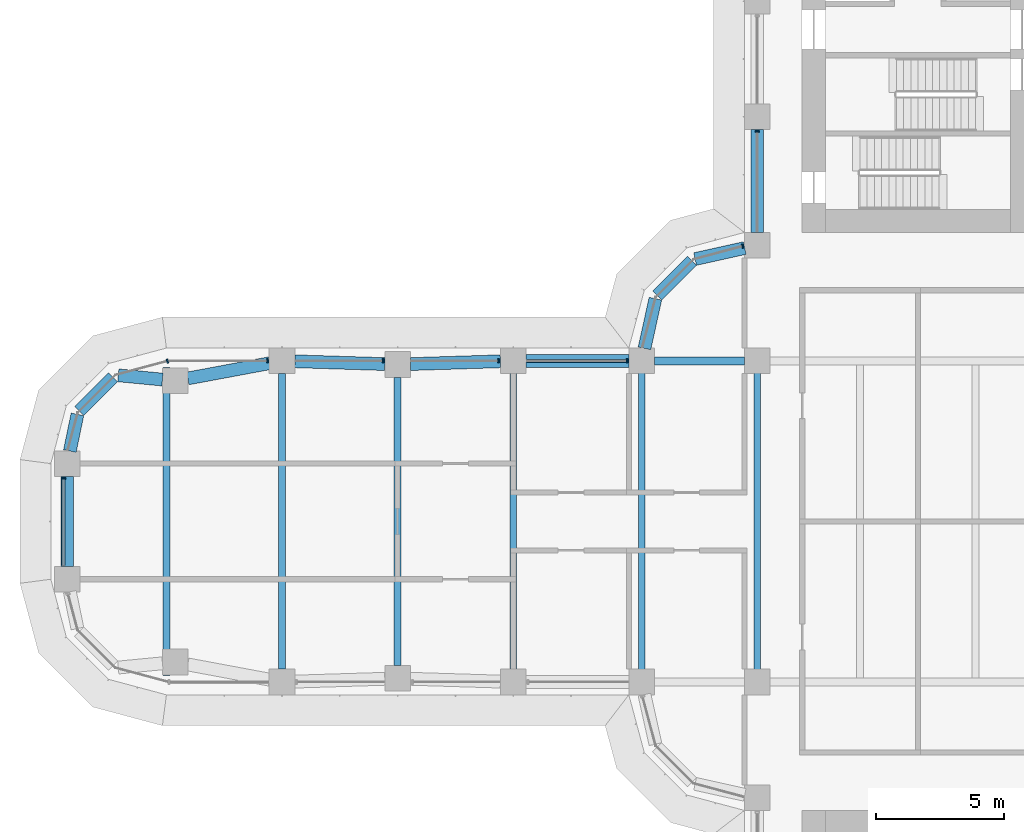
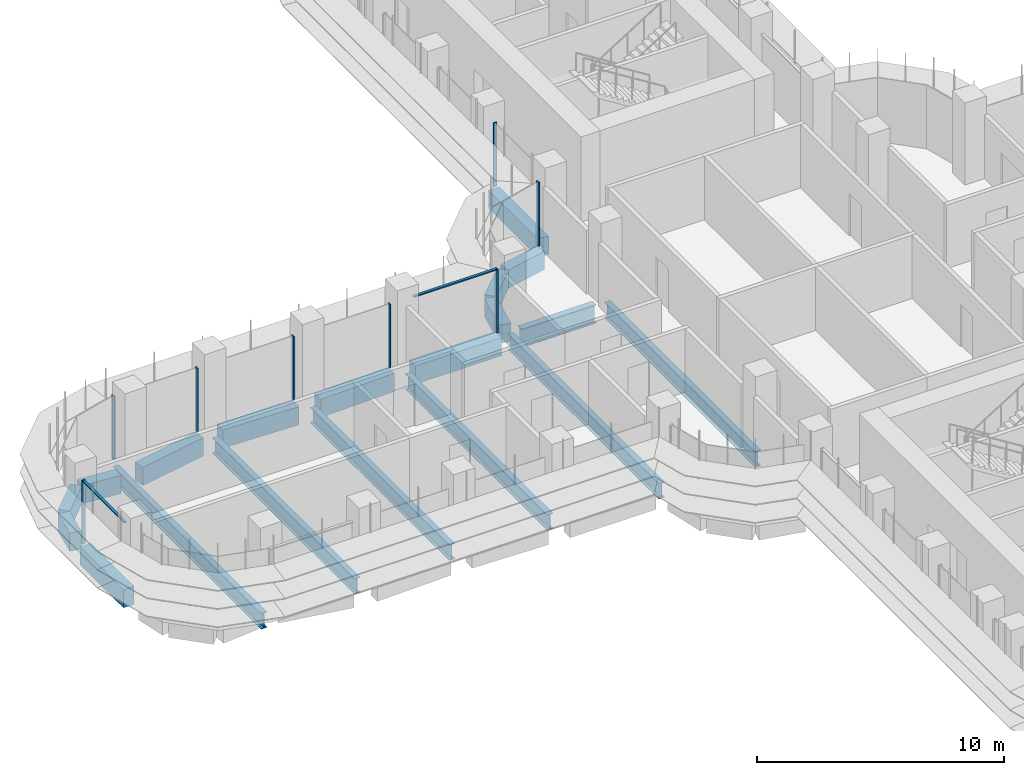
# One storey, part 6 of 23: 19 beams, 10 members, 5 elements without a shape of their own.
"""IFC4 building model written with IfcOpenShell, lengths in metres."""

from ifc_helpers import new_model, si_unit, direction, frame, origin, origin_2d, place, context, subcontext, project, spatial, polyline, rectangle, i_section, outline, extrude, source, transform, mapped, material, material_profile, profile_set, type_object, element, aggregate, save


model = new_model("IFC4")

# Units and contexts
model_context = context("Model", 3, precision=1e-05, world=origin(), true_north=direction((0.0, 1.0)))
body_context = subcontext(model_context, "Body", "Model", "MODEL_VIEW")
ifc_project = project(units=[si_unit("LENGTHUNIT", "METRE"), si_unit("AREAUNIT", "SQUARE_METRE"), si_unit("VOLUMEUNIT", "CUBIC_METRE"), si_unit("PLANEANGLEUNIT", "RADIAN"), si_unit("MASSUNIT", "GRAM", prefix="KILO")], contexts=[model_context])

# Site, building, storey
site_placement = place(None, origin())
site = spatial("IfcSite", under=ifc_project, at=site_placement, CompositionType="ELEMENT")
building_placement = place(site_placement, origin())
building = spatial("IfcBuilding", under=site, at=building_placement, Name="Zarbagh Exchange Tower", CompositionType="ELEMENT")
storey_placement = place(building_placement, frame((0.0, 0.0, 56.39990234375)))
storey = spatial("IfcBuildingStorey", under=building, at=storey_placement, Name="L12", CompositionType="ELEMENT", Elevation=56.39990234375)

# Beams
ifc_material_1 = material(Name="Steel ASTM A992 Gr 50", Category="steel")
ifc_material_profile_1 = material_profile(ifc_material_1, i_section(OverallWidth=0.2666015625, OverallDepth=0.76708984375, WebThickness=0.014892578125, FlangeThickness=0.023681640625, at=origin_2d()), Name="W30X124")
ifc_profile_set_1 = profile_set([ifc_material_profile_1], Name="Steel ASTM A992 Gr 50")
beam_type_1 = type_object("IfcBeamType", Name="Floor beam W30X124", PredefinedType="BEAM", material=ifc_profile_set_1)
for number, where, z_axis, x_axis, name in (
    (1, (-10.75, -6.09765625, -0.533447265625), (0.0, 1.0, 0.0), (-1.0, 0.0, 0.0), "Steel floor beam"),
    (2, (-6.25, -6.09765625, -0.533447265625), (0.0, 1.0, 0.0), (-1.0, 0.0, 0.0), "Steel floor beam"),
):
    element("IfcBeam", number, at=place(storey_placement, frame(where, z_axis=z_axis, x_axis=x_axis)), inside=storey, type_object=beam_type_1, Name=name, PredefinedType="BEAM", context=body_context, shape_type="SweptSolid", body=[
        extrude(i_section(OverallWidth=0.2666015625, OverallDepth=0.76708984375, WebThickness=0.014892578125, FlangeThickness=0.023681640625, at=origin_2d()), origin(), (0.0, 0.0, 1.0), 12.1953125),
    ])
beam_1_placement = place(storey_placement, frame((-15.75, -5.75, -0.533447265625), z_axis=(0.0, 1.0, 0.0), x_axis=(-1.0, 0.0, 0.0)))
element("IfcBeam", 3, at=beam_1_placement, inside=storey, type_object=beam_type_1, Name="Steel floor beam", PredefinedType="BEAM", context=body_context, shape_type="SweptSolid", body=[
    extrude(i_section(OverallWidth=0.2666015625, OverallDepth=0.76708984375, WebThickness=0.014892578125, FlangeThickness=0.023681640625, at=origin_2d()), origin(), (0.0, 0.0, 1.0), 11.5),
])
beam_2_placement = place(storey_placement, frame((-20.25, -5.610107421875, -0.533447265625), z_axis=(0.0, 1.0, 0.0), x_axis=(-1.0, 0.0, 0.0)))
element("IfcBeam", 4, at=beam_2_placement, inside=storey, type_object=beam_type_1, Name="Steel floor beam", PredefinedType="BEAM", context=body_context, shape_type="SweptSolid", body=[
    extrude(i_section(OverallWidth=0.2666015625, OverallDepth=0.76708984375, WebThickness=0.014892578125, FlangeThickness=0.023681640625, at=origin_2d()), origin(), (0.0, 0.0, 1.0), 11.22021484375),
])
beam_3_placement = place(storey_placement, frame((-24.75, -5.75, -0.533447265625), z_axis=(0.0, 1.0, 0.0), x_axis=(-1.0, 0.0, 0.0)))
element("IfcBeam", 5, at=beam_3_placement, inside=storey, type_object=beam_type_1, Name="Steel floor beam", PredefinedType="BEAM", context=body_context, shape_type="SweptSolid", body=[
    extrude(i_section(OverallWidth=0.2666015625, OverallDepth=0.76708984375, WebThickness=0.014892578125, FlangeThickness=0.023681640625, at=origin_2d()), origin(), (0.0, 0.0, 1.0), 11.5),
])
beam_4_placement = place(storey_placement, frame((-29.25, -6.0, -0.533447265625), z_axis=(0.0, 1.0, 0.0), x_axis=(-1.0, 0.0, 0.0)))
element("IfcBeam", 6, at=beam_4_placement, inside=storey, type_object=beam_type_1, Name="Steel floor beam", PredefinedType="BEAM", context=body_context, shape_type="SweptSolid", body=[
    extrude(i_section(OverallWidth=0.2666015625, OverallDepth=0.76708984375, WebThickness=0.014892578125, FlangeThickness=0.023681640625, at=origin_2d()), origin(), (0.0, 0.0, 1.0), 12.0),
])
ifc_material_profile_2 = material_profile(ifc_material_1, i_section(OverallWidth=0.3046875, OverallDepth=0.91943359375, WebThickness=0.017333984375, FlangeThickness=0.02783203125, at=origin_2d()), Name="W36X170")
ifc_profile_set_2 = profile_set([ifc_material_profile_2], Name="Steel ASTM A992 Gr 50")
beam_type_2 = type_object("IfcBeamType", Name="Floor girder W36X170", PredefinedType="BEAM", material=ifc_profile_set_2)
beam_5_placement = place(storey_placement, frame((-10.25, 6.25, -0.609619140625), z_axis=(1.0, 0.0, 0.0), x_axis=(0.0, 1.0, 0.0)))
element("IfcBeam", 7, at=beam_5_placement, inside=storey, type_object=beam_type_2, Name="Steel girder", PredefinedType="BEAM", context=body_context, shape_type="SweptSolid", body=[
    extrude(i_section(OverallWidth=0.3046875, OverallDepth=0.91943359375, WebThickness=0.017333984375, FlangeThickness=0.02783203125, at=origin_2d()), origin(), (0.0, 0.0, 1.0), 3.5),
])
ifc_material_2 = material(Name="Concrete C60/75", Category="concrete")
ifc_material_profile_3 = material_profile(ifc_material_2, rectangle(XDim=0.5, YDim=0.89990234375, at=origin_2d()), Name="RC spandrel beam 500 x 900 C60/75")
ifc_profile_set_3 = profile_set([ifc_material_profile_3], Name="Concrete C60/75")
beam_type_3 = type_object("IfcBeamType", Name="RC spandrel beam 500 x 900 C60/75", PredefinedType="SPANDREL", material=ifc_profile_set_3)
beam_6_placement = place(storey_placement, frame((-33.110107421875, -1.75, -0.599853515625), z_axis=(0.0, 1.0, 0.0), x_axis=(-1.0, 0.0, 0.0)))
element("IfcBeam", 8, at=beam_6_placement, inside=storey, type_object=beam_type_3, Name="RC spandrel beam", PredefinedType="SPANDREL", context=body_context, shape_type="SweptSolid", body=[
    extrude(rectangle(XDim=0.5, YDim=0.89990234375, at=origin_2d()), origin(), (0.0, 0.0, 1.0), 3.5),
])
beam_7_placement = place(storey_placement, frame((-33.0087890625, 2.73974609375, -0.599853515625), z_axis=(0.202068589164, 0.9793713725, 0.0), x_axis=(-0.9793713725, 0.202068589164, 0.0)))
element("IfcBeam", 9, at=beam_7_placement, inside=storey, type_object=beam_type_3, Name="RC spandrel beam", PredefinedType="SPANDREL", context=body_context, shape_type="SweptSolid", body=[
    extrude(rectangle(XDim=0.5, YDim=0.89990234375, at=origin_2d()), origin(), (0.0, 0.0, 1.0), 1.458251953125),
])
beam_8_placement = place(storey_placement, frame((-32.64599609375, 4.294189453125, -0.599853515625), z_axis=(0.707172099812, 0.707041456527, 0.0), x_axis=(-0.707041456527, 0.707172099812, 0.0)))
element("IfcBeam", 10, at=beam_8_placement, inside=storey, type_object=beam_type_3, Name="RC spandrel beam", PredefinedType="SPANDREL", context=body_context, shape_type="SweptSolid", body=[
    extrude(rectangle(XDim=0.5, YDim=0.89990234375, at=origin_2d()), origin(), (0.0, 0.0, 1.0), 1.86865234375),
])
beam_9_placement = place(storey_placement, frame((-31.123779296875, 5.6875, -0.599853515625), z_axis=(0.995431032456, -0.095483294999, 0.0), x_axis=(0.095483294999, 0.995431032456, 0.0)))
element("IfcBeam", 11, at=beam_9_placement, inside=storey, type_object=beam_type_3, Name="RC spandrel beam", PredefinedType="SPANDREL", context=body_context, shape_type="SweptSolid", body=[
    extrude(rectangle(XDim=0.5, YDim=0.89990234375, at=origin_2d()), origin(), (0.0, 0.0, 1.0), 1.725830078125),
])
beam_10_placement = place(storey_placement, frame((-28.41650390625, 5.566650390625, -0.599853515625), z_axis=(0.983069300761, 0.183234139565, 0.0), x_axis=(-0.183234139565, 0.983069300761, 0.0)))
element("IfcBeam", 12, at=beam_10_placement, inside=storey, type_object=beam_type_3, Name="RC spandrel beam", PredefinedType="SPANDREL", context=body_context, shape_type="SweptSolid", body=[
    extrude(rectangle(XDim=0.5, YDim=0.89990234375, at=origin_2d()), origin(), (0.0, 0.0, 1.0), 3.229736328125),
])
for number, where, z_axis, x_axis, name in (
    (13, (-24.250244140625, 6.234619140625, -0.599853515625), (0.999514385708, -0.031160756759, 0.0), (0.031160756759, 0.999514385708, 0.0), "RC spandrel beam"),
    (14, (-19.750244140625, 6.12548828125, -0.599853515625), (0.999514385708, 0.031160756759, 0.0), (-0.031160756759, 0.999514385708, 0.0), "RC spandrel beam"),
):
    element("IfcBeam", number, at=place(storey_placement, frame(where, z_axis=z_axis, x_axis=x_axis)), inside=storey, type_object=beam_type_3, Name=name, PredefinedType="SPANDREL", context=body_context, shape_type="SweptSolid", body=[
        extrude(rectangle(XDim=0.5, YDim=0.89990234375, at=origin_2d()), origin(), (0.0, 0.0, 1.0), 3.502197265625),
    ])
beam_11_placement = place(storey_placement, frame((-15.25, 6.25, -0.599853515625), z_axis=(1.0, 0.0, 0.0), x_axis=(0.0, 1.0, 0.0)))
element("IfcBeam", 15, at=beam_11_placement, inside=storey, type_object=beam_type_3, Name="RC spandrel beam", PredefinedType="SPANDREL", context=body_context, shape_type="SweptSolid", body=[
    extrude(rectangle(XDim=0.5, YDim=0.89990234375, at=origin_2d()), origin(), (0.0, 0.0, 1.0), 4.0),
])
beam_12_placement = place(storey_placement, frame((-10.64208984375, 6.73828125, -0.599853515625), z_axis=(0.216081063242, 0.976375426825, 0.0), x_axis=(-0.976375426825, 0.216081063242, 0.0)))
element("IfcBeam", 16, at=beam_12_placement, inside=storey, type_object=beam_type_3, Name="RC spandrel beam", PredefinedType="SPANDREL", context=body_context, shape_type="SweptSolid", body=[
    extrude(rectangle(XDim=0.5, YDim=0.89990234375, at=origin_2d()), origin(), (0.0, 0.0, 1.0), 1.978271484375),
])
beam_13_placement = place(storey_placement, frame((-10.147216796875, 8.792724609375, -0.599853515625), z_axis=(0.707106781187, 0.707106781187, 0.0), x_axis=(-0.707106781187, 0.707106781187, 0.0)))
element("IfcBeam", 17, at=beam_13_placement, inside=storey, type_object=beam_type_3, Name="RC spandrel beam", PredefinedType="SPANDREL", context=body_context, shape_type="SweptSolid", body=[
    extrude(rectangle(XDim=0.5, YDim=0.89990234375, at=origin_2d()), origin(), (0.0, 0.0, 1.0), 1.91552734375),
])
beam_14_placement = place(storey_placement, frame((-8.669921875, 10.214599609375, -0.599853515625), z_axis=(0.976375426825, 0.216081063242, 0.0), x_axis=(-0.216081063242, 0.976375426825, 0.0)))
element("IfcBeam", 18, at=beam_14_placement, inside=storey, type_object=beam_type_3, Name="RC spandrel beam", PredefinedType="SPANDREL", context=body_context, shape_type="SweptSolid", body=[
    extrude(rectangle(XDim=0.5, YDim=0.89990234375, at=origin_2d()), origin(), (0.0, 0.0, 1.0), 1.978271484375),
])
beam_15_placement = place(storey_placement, frame((-6.25, 11.25, -0.599853515625), z_axis=(0.0, 1.0, 0.0), x_axis=(-1.0, 0.0, 0.0)))
element("IfcBeam", 19, at=beam_15_placement, inside=storey, type_object=beam_type_3, Name="RC spandrel beam", PredefinedType="SPANDREL", context=body_context, shape_type="SweptSolid", body=[
    extrude(rectangle(XDim=0.5, YDim=0.89990234375, at=origin_2d()), origin(), (0.0, 0.0, 1.0), 4.0),
])

# Curtain wall, member
ifc_material_3 = material(Name="Anodised aluminium frame and glazing", Category="aluminium")
curtain_wall_type = type_object("IfcCurtainWallType", Name="CWA Ribbon glazing, lower zones", PredefinedType="NOTDEFINED", material=ifc_material_3)
curtain_wall_1_placement = place(storey_placement, origin())
curtain_wall_1 = element("IfcCurtainWall", 20, at=curtain_wall_1_placement, inside=storey, type_object=curtain_wall_type, Name="CWA28 curtain wall", PredefinedType="NOTDEFINED")
ifc_material_4 = material(Name="Anodised aluminium frame", Category="aluminium")
member_type_1 = type_object("IfcMemberType", Name="MUA Mullion, anodised aluminium frame", PredefinedType="MULLION", material=ifc_material_4)
shared_shape_1 = source(origin(), body_context, "Body", "SweptSolid", [
    extrude(outline(polyline([(0.0, -0.080078125), (0.06005859375, -0.080078125), (0.06005859375, 0.080078125), (0.0, 0.080078125), (0.0, -0.080078125)])), origin(), (0.0, 0.0, 1.0), 3.14990234375),
])
placement = place(storey_placement, origin())
member_1 = element("IfcMember", 21, at=placement, type_object=member_type_1, Name="CWA28 mullion 5.1", PredefinedType="MULLION", context=body_context, shape_type="MappedRepresentation", body=[
    mapped(shared_shape_1, transform((-6.25, 15.2099609375, 0.0), x_axis=(0.0, -1.0, 0.0), y_axis=(1.0, 0.0, 0.0), z_axis=(0.0, 0.0, 1.0))),
])
aggregate(curtain_wall_1, [member_1])

curtain_wall_2_placement = place(storey_placement, origin())
curtain_wall_2 = element("IfcCurtainWall", 22, at=curtain_wall_2_placement, inside=storey, type_object=curtain_wall_type, Name="CWA29 curtain wall", PredefinedType="NOTDEFINED")
member_2 = element("IfcMember", 23, at=placement, type_object=member_type_1, Name="CWA29 mullion 1.1", PredefinedType="MULLION", context=body_context, shape_type="MappedRepresentation", body=[
    mapped(shared_shape_1, transform((-6.7900390625, 10.7216796875, 0.0), x_axis=(-0.965924289636, -0.258824779902, 0.0), y_axis=(0.258824779902, -0.965924289636, 0.0), z_axis=(0.0, 0.0, 1.0))),
])
aggregate(curtain_wall_2, [member_2])

# Curtain wall, members
curtain_wall_3_placement = place(storey_placement, origin())
curtain_wall_3 = element("IfcCurtainWall", 24, at=curtain_wall_3_placement, inside=storey, type_object=curtain_wall_type, Name="CWA32 curtain wall", PredefinedType="NOTDEFINED")
member_3 = element("IfcMember", 25, at=placement, type_object=member_type_1, Name="CWA32 mullion 1.1", PredefinedType="MULLION", context=body_context, shape_type="MappedRepresentation", body=[
    mapped(shared_shape_1, transform((-11.2900390625, 6.25, 0.0), x_axis=(-1.0, 0.0, 0.0), y_axis=(0.0, -1.0, 0.0), z_axis=(0.0, 0.0, 1.0))),
])
member_4 = element("IfcMember", 26, at=placement, type_object=member_type_1, Name="CWA32 mullion 2.1", PredefinedType="MULLION", context=body_context, shape_type="MappedRepresentation", body=[
    mapped(shared_shape_1, transform((-16.2900390625, 6.25, 0.0), x_axis=(-1.0, 0.0, 0.0), y_axis=(0.0, -1.0, 0.0), z_axis=(0.0, 0.0, 1.0))),
])
member_5 = element("IfcMember", 27, at=placement, type_object=member_type_1, Name="CWA32 mullion 3.1", PredefinedType="MULLION", context=body_context, shape_type="MappedRepresentation", body=[
    mapped(shared_shape_1, transform((-20.7900390625, 6.25, 0.0), x_axis=(-1.0, 0.0, 0.0), y_axis=(0.0, -1.0, 0.0), z_axis=(0.0, 0.0, 1.0))),
])
member_6 = element("IfcMember", 28, at=placement, type_object=member_type_1, Name="CWA32 mullion 4.1", PredefinedType="MULLION", context=body_context, shape_type="MappedRepresentation", body=[
    mapped(shared_shape_1, transform((-25.2900390625, 6.25, 0.0), x_axis=(-1.0, 0.0, 0.0), y_axis=(0.0, -1.0, 0.0), z_axis=(0.0, 0.0, 1.0))),
])

# Curtain wall, member
curtain_wall_4_placement = place(storey_placement, origin())
curtain_wall_4 = element("IfcCurtainWall", 29, at=curtain_wall_4_placement, inside=storey, type_object=curtain_wall_type, Name="CWA33 curtain wall", PredefinedType="NOTDEFINED")
member_7 = element("IfcMember", 30, at=placement, type_object=member_type_1, Name="CWA33 mullion 1.1", PredefinedType="MULLION", context=body_context, shape_type="MappedRepresentation", body=[
    mapped(shared_shape_1, transform((-29.18408203125, 6.25, 0.0), x_axis=(-0.965924289636, -0.258824779902, 0.0), y_axis=(0.258824779902, -0.965924289636, 0.0), z_axis=(0.0, 0.0, 1.0))),
])
aggregate(curtain_wall_4, [member_7])

curtain_wall_5_placement = place(storey_placement, origin())
curtain_wall_5 = element("IfcCurtainWall", 31, at=curtain_wall_5_placement, inside=storey, type_object=curtain_wall_type, Name="CWA36 curtain wall", PredefinedType="NOTDEFINED")
member_8 = element("IfcMember", 32, at=placement, type_object=member_type_1, Name="CWA36 mullion 1.1", PredefinedType="MULLION", context=body_context, shape_type="MappedRepresentation", body=[
    mapped(shared_shape_1, transform((-33.25, 1.7099609375, 0.0), x_axis=(0.0, -1.0, 0.0), y_axis=(1.0, 0.0, 0.0), z_axis=(0.0, 0.0, 1.0))),
])

# Member
member_type_2 = type_object("IfcMemberType", Name="TRA Transom, anodised aluminium frame", PredefinedType="USERDEFINED", material=ifc_material_4)
shared_shape_2 = source(origin(), body_context, "Body", "SweptSolid", [
    extrude(outline(polyline([(-0.06005859375, -0.06005859375), (0.0, -0.06005859375), (0.0, 0.06005859375), (-0.06005859375, 0.06005859375), (-0.06005859375, -0.06005859375)])), origin(), (0.0, 0.0, 1.0), 3.860107421875),
])
member_9 = element("IfcMember", 33, at=placement, type_object=member_type_2, Name="CWA32 transom 1.1", ObjectType="TRANSOM", PredefinedType="USERDEFINED", context=body_context, shape_type="MappedRepresentation", body=[
    mapped(shared_shape_2, transform((-11.35009765625, 6.25, 3.150146484375), x_axis=(0.0, 0.0, 1.0), y_axis=(0.0, 1.0, 0.0), z_axis=(-1.0, 0.0, 0.0))),
])

aggregate(curtain_wall_3, [member_3, member_9, member_4, member_5, member_6])

shared_shape_3 = source(origin(), body_context, "Body", "SweptSolid", [
    extrude(outline(polyline([(-0.06005859375, -0.06005859375), (0.0, -0.06005859375), (0.0, 0.06005859375), (-0.06005859375, 0.06005859375), (-0.06005859375, -0.06005859375)])), origin(), (0.0, 0.0, 1.0), 3.360107421875),
])
member_10 = element("IfcMember", 34, at=placement, type_object=member_type_2, Name="CWA36 transom 1.1", ObjectType="TRANSOM", PredefinedType="USERDEFINED", context=body_context, shape_type="MappedRepresentation", body=[
    mapped(shared_shape_3, transform((-33.25, 1.64990234375, 3.150146484375), x_axis=(0.0, 0.0, 1.0), y_axis=(-1.0, 0.0, 0.0), z_axis=(0.0, -1.0, 0.0))),
])

aggregate(curtain_wall_5, [member_8, member_10])

save(model, "model.ifc")
